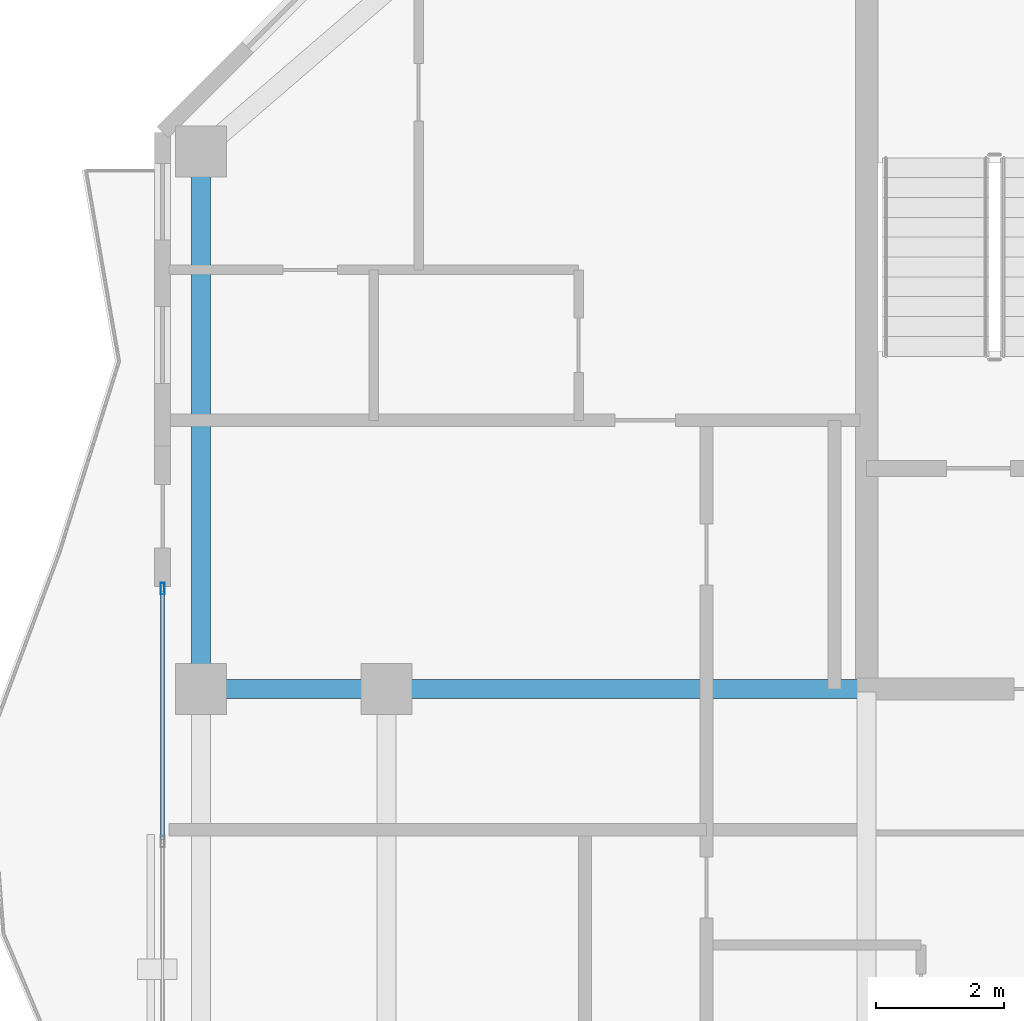
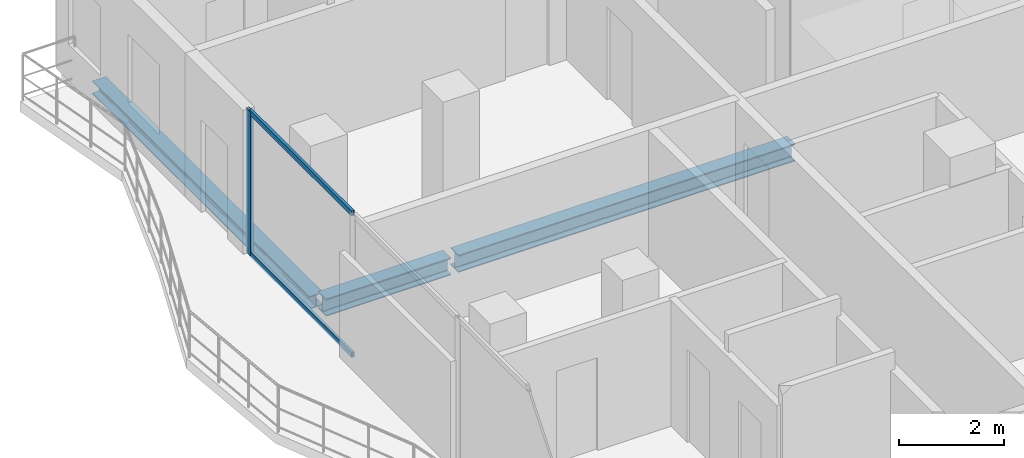
# One storey, part 9 of 23: 3 beams, 3 members, 1 element without a shape of its own.
"""IFC4 building model written with IfcOpenShell, lengths in metres."""

from ifc_helpers import new_model, si_unit, direction, frame, origin, origin_2d, place, context, subcontext, project, spatial, hollow_rectangle, i_section, extrude, material, layer, layer_set, material_profile, profile_set, type_object, element, aggregate, save


model = new_model("IFC4")

# Units and contexts
model_context = context("Model", 3, precision=1e-05, world=origin(), true_north=direction((0.0, 1.0)))
body_context = subcontext(model_context, "Body", "Model", "MODEL_VIEW")
ifc_project = project(units=[si_unit("LENGTHUNIT", "METRE"), si_unit("AREAUNIT", "SQUARE_METRE"), si_unit("VOLUMEUNIT", "CUBIC_METRE"), si_unit("PLANEANGLEUNIT", "RADIAN"), si_unit("MASSUNIT", "GRAM", prefix="KILO")], contexts=[model_context])

# Site, building, storey
site_placement = place(None, origin())
site = spatial("IfcSite", under=ifc_project, at=site_placement, CompositionType="ELEMENT")
building_placement = place(site_placement, origin())
building = spatial("IfcBuilding", under=site, at=building_placement, Name="Catumbela Crestline Tower", CompositionType="ELEMENT")
storey_placement = place(building_placement, frame((0.0, 0.0, 172.2)))
storey = spatial("IfcBuildingStorey", under=building, at=storey_placement, Name="L44", CompositionType="ELEMENT", Elevation=172.2)

# Beams
ifc_material_1 = material(Name="Structural steel S355J2", Category="steel")
ifc_material_profile_1 = material_profile(ifc_material_1, i_section(OverallWidth=0.3, OverallDepth=0.4, WebThickness=0.0135, FlangeThickness=0.024, FilletRadius=0.027, at=origin_2d()), Name="HEB 400")
ifc_profile_set_1 = profile_set([ifc_material_profile_1], Name="Structural steel S355J2")
beam_type_1 = type_object("IfcBeamType", Name="BG-HEB400", PredefinedType="BEAM", material=ifc_profile_set_1)
beam_1_placement = place(storey_placement, frame((5.68, 30.8, -0.46), z_axis=(1.0, 0.0, 0.0), x_axis=(0.0, 1.0, 0.0)))
element("IfcBeam", 1, at=beam_1_placement, inside=storey, type_object=beam_type_1, Name="L44 Beam BM-L44-M06", PredefinedType="BEAM", context=body_context, shape_type="SweptSolid", body=[
    extrude(i_section(OverallWidth=0.3, OverallDepth=0.4, WebThickness=0.0135, FlangeThickness=0.024, FilletRadius=0.027, at=origin_2d()), origin(), (0.0, 0.0, 1.0), 2.74),
])
beam_2_placement = place(storey_placement, frame((8.58, 30.8, -0.46), z_axis=(1.0, 0.0, 0.0), x_axis=(0.0, 1.0, 0.0)))
element("IfcBeam", 2, at=beam_2_placement, inside=storey, type_object=beam_type_1, Name="L44 Beam BM-L44-M07", PredefinedType="BEAM", context=body_context, shape_type="SweptSolid", body=[
    extrude(i_section(OverallWidth=0.3, OverallDepth=0.4, WebThickness=0.0135, FlangeThickness=0.024, FilletRadius=0.027, at=origin_2d()), origin(), (0.0, 0.0, 1.0), 7.37),
])

# Curtain wall, member
ifc_material_2 = material(Name="Aluminium alloy AW-6060-T66", Category="aluminium")
ifc_layer = layer(ifc_material_2, 0.18, Name="Aluminium alloy AW-6060-T66")
ifc_layer_set = layer_set([ifc_layer], Name="Aluminium alloy AW-6060-T66")
curtain_wall_type = type_object("IfcCurtainWallType", Name="CWU-Z3", PredefinedType="USERDEFINED", material=ifc_layer_set)
curtain_wall_placement = place(storey_placement, origin())
curtain_wall = element("IfcCurtainWall", 3, at=curtain_wall_placement, inside=storey, type_object=curtain_wall_type, Name="L44 Unitised Curtain Wall CW-L44-E9S2", ObjectType="UNITISED", PredefinedType="USERDEFINED")
ifc_material_profile_2 = material_profile(ifc_material_2, hollow_rectangle(XDim=0.065, YDim=0.18, WallThickness=0.004, at=origin_2d()), Name="ALU 180x65x4")
ifc_profile_set_2 = profile_set([ifc_material_profile_2], Name="Aluminium alloy AW-6060-T66")
member_type_1 = type_object("IfcMemberType", Name="MUL-180X65", PredefinedType="MULLION", material=ifc_profile_set_2)
member_1_placement = place(storey_placement, frame((5.0, 32.3675, 0.0), z_axis=(0.0, 0.0, 1.0), x_axis=(1.0, 0.0, 0.0)))
member_1 = element("IfcMember", 4, at=member_1_placement, type_object=member_type_1, Name="CWU-Z3 mullion 1", PredefinedType="MULLION", context=body_context, shape_type="SweptSolid", body=[
    extrude(hollow_rectangle(XDim=0.065, YDim=0.18, WallThickness=0.004, at=origin_2d()), origin(), (0.0, 0.0, 1.0), 3.33),
])

# Beam
ifc_material_profile_3 = material_profile(ifc_material_1, i_section(OverallWidth=0.3, OverallDepth=0.3, WebThickness=0.011, FlangeThickness=0.019, FilletRadius=0.027, at=origin_2d()), Name="HEB 300")
ifc_profile_set_3 = profile_set([ifc_material_profile_3], Name="Structural steel S355J2")
beam_type_2 = type_object("IfcBeamType", Name="BS-HEB300", PredefinedType="SPANDREL", material=ifc_profile_set_3)
beam_3_placement = place(storey_placement, frame((5.6, 30.88, -0.41), z_axis=(0.0, 1.0, 0.0), x_axis=(-1.0, 0.0, 0.0)))
element("IfcBeam", 5, at=beam_3_placement, inside=storey, type_object=beam_type_2, Name="L44 Spandrel SP-L44-SN15", PredefinedType="SPANDREL", context=body_context, shape_type="SweptSolid", body=[
    extrude(i_section(OverallWidth=0.3, OverallDepth=0.3, WebThickness=0.011, FlangeThickness=0.019, FilletRadius=0.027, at=origin_2d()), origin(), (0.0, 0.0, 1.0), 8.24),
])

# Member
ifc_material_profile_4 = material_profile(ifc_material_2, hollow_rectangle(XDim=0.06, YDim=0.12, WallThickness=0.0035, at=origin_2d()), Name="ALU 120x60x3.5")
ifc_profile_set_4 = profile_set([ifc_material_profile_4], Name="Aluminium alloy AW-6060-T66")
member_type_2 = type_object("IfcMemberType", Name="TRN-120X60", PredefinedType="USERDEFINED", material=ifc_profile_set_4)
member_2_placement = place(storey_placement, frame((5.0, 32.335, 0.03), z_axis=(0.0, -1.0, 0.0), x_axis=(1.0, 0.0, 0.0)))
member_2 = element("IfcMember", 6, at=member_2_placement, type_object=member_type_2, Name="CWU-Z3 transom 1.1", ObjectType="TRANSOM", PredefinedType="USERDEFINED", context=body_context, shape_type="SweptSolid", body=[
    extrude(hollow_rectangle(XDim=0.06, YDim=0.12, WallThickness=0.0035, at=origin_2d()), origin(), (0.0, 0.0, 1.0), 3.8858),
])

member_3_placement = place(storey_placement, frame((5.0, 32.335, 3.3), z_axis=(0.0, -1.0, 0.0), x_axis=(1.0, 0.0, 0.0)))
member_3 = element("IfcMember", 7, at=member_3_placement, type_object=member_type_2, Name="CWU-Z3 transom 1.2", ObjectType="TRANSOM", PredefinedType="USERDEFINED", context=body_context, shape_type="SweptSolid", body=[
    extrude(hollow_rectangle(XDim=0.06, YDim=0.12, WallThickness=0.0035, at=origin_2d()), origin(), (0.0, 0.0, 1.0), 3.8858),
])

aggregate(curtain_wall, [member_1, member_2, member_3])

save(model, "model.ifc")
